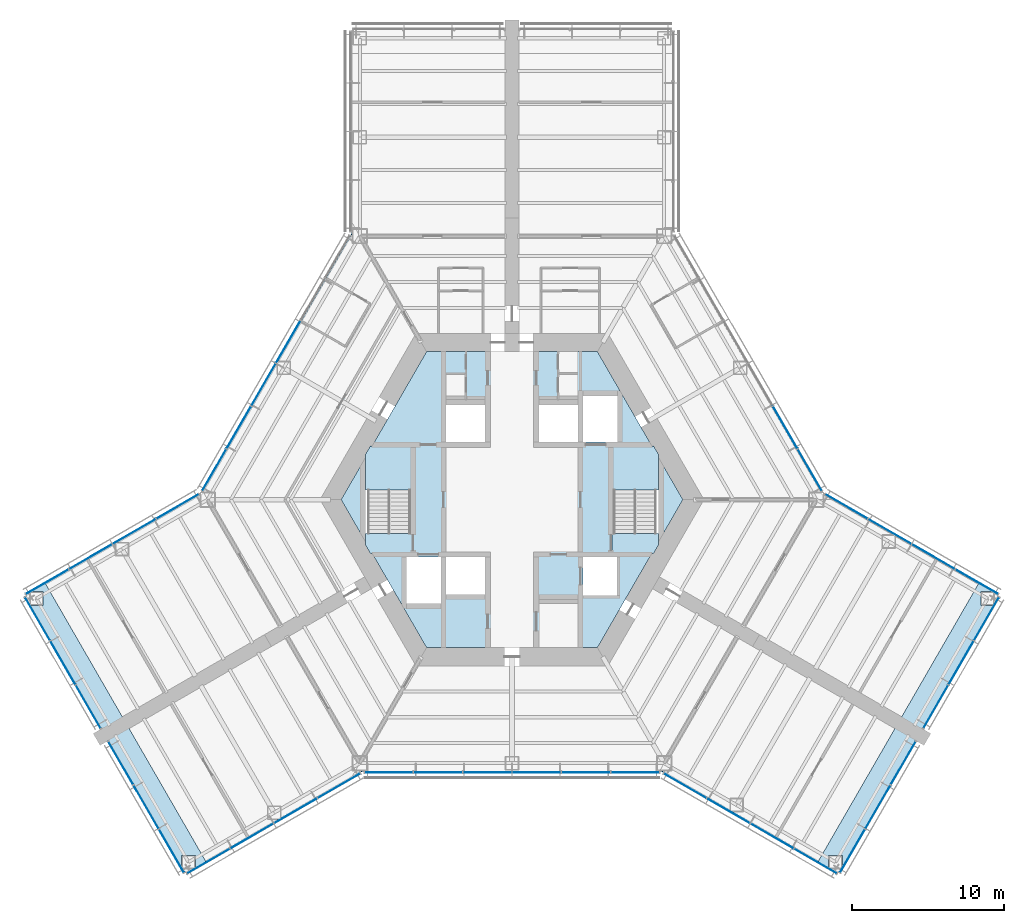
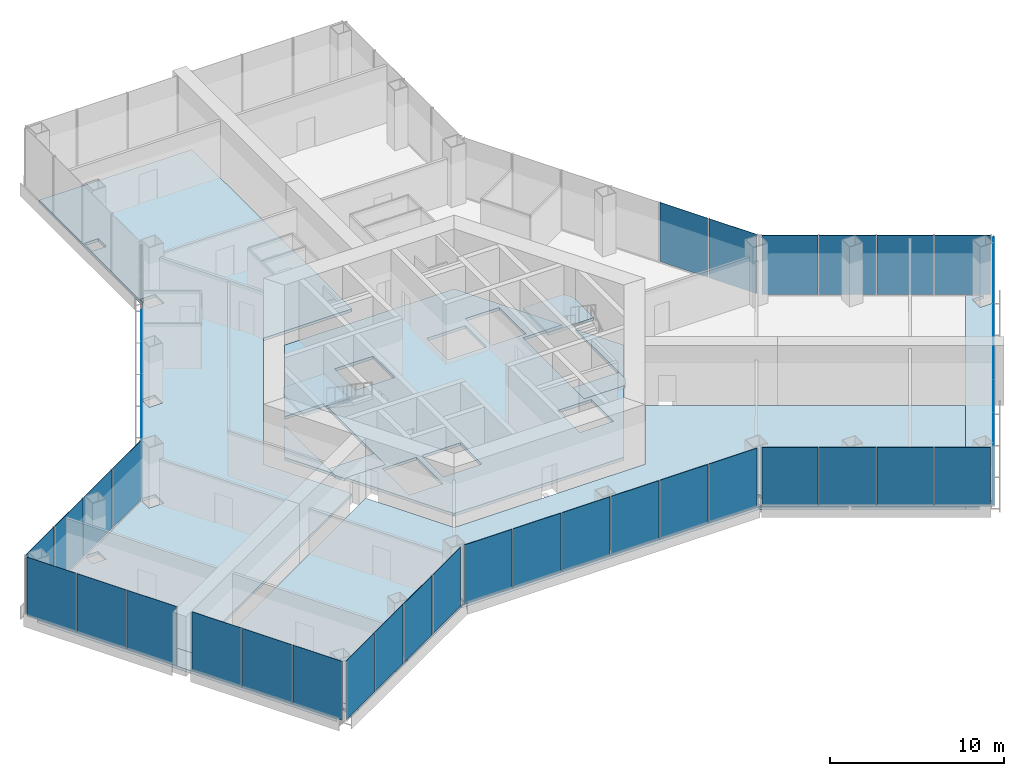
# One storey, part 9 of 16: 40 plates, 11 slabs, 13 elements without a shape of their own.
"""IFC4 building model written with IfcOpenShell, lengths in metres."""

from ifc_helpers import new_model, si_unit, direction, frame, origin, origin_2d, place, context, subcontext, project, spatial, polyline, rectangle, outline, extrude, material, layer, layer_set, type_object, element, aggregate, save


model = new_model("IFC4")

# Units and contexts
model_context = context("Model", 3, precision=1e-05, world=origin(), true_north=direction((0.0, 1.0)))
body_context = subcontext(model_context, "Body", "Model", "MODEL_VIEW")
ifc_project = project(units=[si_unit("LENGTHUNIT", "METRE"), si_unit("AREAUNIT", "SQUARE_METRE"), si_unit("VOLUMEUNIT", "CUBIC_METRE"), si_unit("PLANEANGLEUNIT", "RADIAN"), si_unit("MASSUNIT", "GRAM", prefix="KILO")], contexts=[model_context])

# Site, building, storey
site_placement = place(None, origin())
site = spatial("IfcSite", under=ifc_project, at=site_placement, CompositionType="ELEMENT")
building_placement = place(site_placement, origin())
building = spatial("IfcBuilding", under=site, at=building_placement, Name="Kasaneha Research Tower", CompositionType="ELEMENT")
storey_placement = place(building_placement, frame((0.0, 0.0, 18.39990234375)))
storey = spatial("IfcBuildingStorey", under=building, at=storey_placement, Name="L05", CompositionType="ELEMENT", Elevation=18.39990234375)

# Curtain wall, plates
ifc_material_1 = material(Name="Glass and aluminium", Category="aluminium")
curtain_wall_type = type_object("IfcCurtainWallType", Name="Wet laboratory curtain wall", PredefinedType="USERDEFINED", material=ifc_material_1)
curtain_wall_1_placement = place(storey_placement, origin())
curtain_wall_1 = element("IfcCurtainWall", 1, at=curtain_wall_1_placement, inside=storey, type_object=curtain_wall_type, Name="CW-L1 L05 run 01a", ObjectType="UNITISED CURTAIN WALL", PredefinedType="USERDEFINED")
ifc_material_2 = material(Name="Laminated double glazing", Category="glass")
ifc_layer_1 = layer(ifc_material_2, 0.030029296875)
ifc_layer_set_1 = layer_set([ifc_layer_1], Name="CW-L1 glazed panel")
plate_type = type_object("IfcPlateType", Name="CW-L1 glazed panel", PredefinedType="CURTAIN_PANEL", material=ifc_layer_set_1)
plate_1_placement = place(storey_placement, frame((-19.944091796875, -23.754638671875, 0.06494140625), z_axis=(0.0, 0.0, 1.0), x_axis=(0.866025411464, 0.499999986699, 0.0)))
plate_1 = element("IfcPlate", 2, at=plate_1_placement, type_object=plate_type, Name="CW-L1 panel 1", PredefinedType="CURTAIN_PANEL", context=body_context, shape_type="SweptSolid", body=[
    extrude(rectangle(XDim=3.21240234375, YDim=0.030029296875, at=origin_2d()), origin(), (0.0, 0.0, 1.0), 4.135009765625),
])
plate_2_placement = place(storey_placement, frame((-17.091796875, -22.107666015625, 0.06494140625), z_axis=(0.0, 0.0, 1.0), x_axis=(0.866025411464, 0.499999986699, 0.0)))
plate_2 = element("IfcPlate", 3, at=plate_2_placement, type_object=plate_type, Name="CW-L1 panel 2", PredefinedType="CURTAIN_PANEL", context=body_context, shape_type="SweptSolid", body=[
    extrude(rectangle(XDim=3.244873046875, YDim=0.030029296875, at=origin_2d()), origin(), (0.0, 0.0, 1.0), 4.135009765625),
])
plate_3_placement = place(storey_placement, frame((-14.225341796875, -20.452880859375, 0.06494140625), z_axis=(0.0, 0.0, 1.0), x_axis=(0.866025411464, 0.499999986699, 0.0)))
plate_3 = element("IfcPlate", 4, at=plate_3_placement, type_object=plate_type, Name="CW-L1 panel 3", PredefinedType="CURTAIN_PANEL", context=body_context, shape_type="SweptSolid", body=[
    extrude(rectangle(XDim=3.244873046875, YDim=0.030029296875, at=origin_2d()), origin(), (0.0, 0.0, 1.0), 4.135009765625),
])
plate_4_placement = place(storey_placement, frame((-11.373046875, -18.80615234375, 0.06494140625), z_axis=(0.0, 0.0, 1.0), x_axis=(0.866025411464, 0.499999986699, 0.0)))
plate_4 = element("IfcPlate", 5, at=plate_4_placement, type_object=plate_type, Name="CW-L1 panel 4", PredefinedType="CURTAIN_PANEL", context=body_context, shape_type="SweptSolid", body=[
    extrude(rectangle(XDim=3.21240234375, YDim=0.030029296875, at=origin_2d()), origin(), (0.0, 0.0, 1.0), 4.135009765625),
])
aggregate(curtain_wall_1, [plate_1, plate_2, plate_3, plate_4])

curtain_wall_2_placement = place(storey_placement, origin())
curtain_wall_2 = element("IfcCurtainWall", 6, at=curtain_wall_2_placement, inside=storey, type_object=curtain_wall_type, Name="CW-L1 L05 run 02a", ObjectType="UNITISED CURTAIN WALL", PredefinedType="USERDEFINED")
plate_5_placement = place(storey_placement, frame((-8.099853515625, -17.92041015625, 0.06494140625), z_axis=(0.0, 0.0, 1.0), x_axis=(1.0, 0.0, 0.0)))
plate_5 = element("IfcPlate", 7, at=plate_5_placement, type_object=plate_type, Name="CW-L1 panel 1", PredefinedType="CURTAIN_PANEL", context=body_context, shape_type="SweptSolid", body=[
    extrude(rectangle(XDim=3.14892578125, YDim=0.030029296875, at=origin_2d()), origin(), (0.0, 0.0, 1.0), 4.135009765625),
])
plate_6_placement = place(storey_placement, frame((-4.86962890625, -17.92041015625, 0.06494140625), z_axis=(0.0, 0.0, 1.0), x_axis=(1.0, 0.0, 0.0)))
plate_6 = element("IfcPlate", 8, at=plate_6_placement, type_object=plate_type, Name="CW-L1 panel 2", PredefinedType="CURTAIN_PANEL", context=body_context, shape_type="SweptSolid", body=[
    extrude(rectangle(XDim=3.181396484375, YDim=0.030029296875, at=origin_2d()), origin(), (0.0, 0.0, 1.0), 4.135009765625),
])
plate_7_placement = place(storey_placement, frame((-1.623291015625, -17.92041015625, 0.06494140625), z_axis=(0.0, 0.0, 1.0), x_axis=(1.0, 0.0, 0.0)))
plate_7 = element("IfcPlate", 9, at=plate_7_placement, type_object=plate_type, Name="CW-L1 panel 3", PredefinedType="CURTAIN_PANEL", context=body_context, shape_type="SweptSolid", body=[
    extrude(rectangle(XDim=3.181396484375, YDim=0.030029296875, at=origin_2d()), origin(), (0.0, 0.0, 1.0), 4.135009765625),
])
plate_8_placement = place(storey_placement, frame((1.623291015625, -17.92041015625, 0.06494140625), z_axis=(0.0, 0.0, 1.0), x_axis=(1.0, 0.0, 0.0)))
plate_8 = element("IfcPlate", 10, at=plate_8_placement, type_object=plate_type, Name="CW-L1 panel 4", PredefinedType="CURTAIN_PANEL", context=body_context, shape_type="SweptSolid", body=[
    extrude(rectangle(XDim=3.181396484375, YDim=0.030029296875, at=origin_2d()), origin(), (0.0, 0.0, 1.0), 4.135009765625),
])
plate_9_placement = place(storey_placement, frame((4.86962890625, -17.92041015625, 0.06494140625), z_axis=(0.0, 0.0, 1.0), x_axis=(1.0, 0.0, 0.0)))
plate_9 = element("IfcPlate", 11, at=plate_9_placement, type_object=plate_type, Name="CW-L1 panel 5", PredefinedType="CURTAIN_PANEL", context=body_context, shape_type="SweptSolid", body=[
    extrude(rectangle(XDim=3.181396484375, YDim=0.030029296875, at=origin_2d()), origin(), (0.0, 0.0, 1.0), 4.135009765625),
])
plate_10_placement = place(storey_placement, frame((8.099853515625, -17.92041015625, 0.06494140625), z_axis=(0.0, 0.0, 1.0), x_axis=(1.0, 0.0, 0.0)))
plate_10 = element("IfcPlate", 12, at=plate_10_placement, type_object=plate_type, Name="CW-L1 panel 6", PredefinedType="CURTAIN_PANEL", context=body_context, shape_type="SweptSolid", body=[
    extrude(rectangle(XDim=3.14892578125, YDim=0.030029296875, at=origin_2d()), origin(), (0.0, 0.0, 1.0), 4.135009765625),
])
aggregate(curtain_wall_2, [plate_5, plate_6, plate_7, plate_8, plate_9, plate_10])

curtain_wall_3_placement = place(storey_placement, origin())
curtain_wall_3 = element("IfcCurtainWall", 13, at=curtain_wall_3_placement, inside=storey, type_object=curtain_wall_type, Name="CW-L1 L05 run 03a", ObjectType="UNITISED CURTAIN WALL", PredefinedType="USERDEFINED")
plate_11_placement = place(storey_placement, frame((11.373046875, -18.80615234375, 0.06494140625), z_axis=(0.0, 0.0, 1.0), x_axis=(0.866025411464, -0.499999986699, 0.0)))
plate_11 = element("IfcPlate", 14, at=plate_11_placement, type_object=plate_type, Name="CW-L1 panel 1", PredefinedType="CURTAIN_PANEL", context=body_context, shape_type="SweptSolid", body=[
    extrude(rectangle(XDim=3.21240234375, YDim=0.030029296875, at=origin_2d()), origin(), (0.0, 0.0, 1.0), 4.135009765625),
])
plate_12_placement = place(storey_placement, frame((14.225341796875, -20.452880859375, 0.06494140625), z_axis=(0.0, 0.0, 1.0), x_axis=(0.866025411464, -0.499999986699, 0.0)))
plate_12 = element("IfcPlate", 15, at=plate_12_placement, type_object=plate_type, Name="CW-L1 panel 2", PredefinedType="CURTAIN_PANEL", context=body_context, shape_type="SweptSolid", body=[
    extrude(rectangle(XDim=3.244873046875, YDim=0.030029296875, at=origin_2d()), origin(), (0.0, 0.0, 1.0), 4.135009765625),
])
plate_13_placement = place(storey_placement, frame((17.091796875, -22.107666015625, 0.06494140625), z_axis=(0.0, 0.0, 1.0), x_axis=(0.866025411464, -0.499999986699, 0.0)))
plate_13 = element("IfcPlate", 16, at=plate_13_placement, type_object=plate_type, Name="CW-L1 panel 3", PredefinedType="CURTAIN_PANEL", context=body_context, shape_type="SweptSolid", body=[
    extrude(rectangle(XDim=3.244873046875, YDim=0.030029296875, at=origin_2d()), origin(), (0.0, 0.0, 1.0), 4.135009765625),
])
plate_14_placement = place(storey_placement, frame((19.944091796875, -23.754638671875, 0.06494140625), z_axis=(0.0, 0.0, 1.0), x_axis=(0.866025411464, -0.499999986699, 0.0)))
plate_14 = element("IfcPlate", 17, at=plate_14_placement, type_object=plate_type, Name="CW-L1 panel 4", PredefinedType="CURTAIN_PANEL", context=body_context, shape_type="SweptSolid", body=[
    extrude(rectangle(XDim=3.21240234375, YDim=0.030029296875, at=origin_2d()), origin(), (0.0, 0.0, 1.0), 4.135009765625),
])
aggregate(curtain_wall_3, [plate_11, plate_12, plate_13, plate_14])

curtain_wall_4_placement = place(storey_placement, origin())
curtain_wall_4 = element("IfcCurtainWall", 18, at=curtain_wall_4_placement, inside=storey, type_object=curtain_wall_type, Name="CW-L1 L05 run 04a", ObjectType="UNITISED CURTAIN WALL", PredefinedType="USERDEFINED")
plate_15_placement = place(storey_placement, frame((22.37353515625, -23.0888671875, 0.06494140625), z_axis=(0.0, 0.0, 1.0), x_axis=(0.500000011442, 0.866025397178, 0.0)))
plate_15 = element("IfcPlate", 19, at=plate_15_placement, type_object=plate_type, Name="CW-L1 panel 1", PredefinedType="CURTAIN_PANEL", context=body_context, shape_type="SweptSolid", body=[
    extrude(rectangle(XDim=3.25244140625, YDim=0.030029296875, at=origin_2d()), origin(), (0.0, 0.0, 1.0), 4.135009765625),
])
plate_16_placement = place(storey_placement, frame((24.04052734375, -20.20166015625, 0.06494140625), z_axis=(0.0, 0.0, 1.0), x_axis=(0.500000011442, 0.866025397178, 0.0)))
plate_16 = element("IfcPlate", 20, at=plate_16_placement, type_object=plate_type, Name="CW-L1 panel 2", PredefinedType="CURTAIN_PANEL", context=body_context, shape_type="SweptSolid", body=[
    extrude(rectangle(XDim=3.284912109375, YDim=0.030029296875, at=origin_2d()), origin(), (0.0, 0.0, 1.0), 4.135009765625),
])
plate_17_placement = place(storey_placement, frame((25.707275390625, -17.314697265625, 0.06494140625), z_axis=(0.0, 0.0, 1.0), x_axis=(0.500000011442, 0.866025397178, 0.0)))
plate_17 = element("IfcPlate", 21, at=plate_17_placement, type_object=plate_type, Name="CW-L1 panel 3", PredefinedType="CURTAIN_PANEL", context=body_context, shape_type="SweptSolid", body=[
    extrude(rectangle(XDim=3.25244140625, YDim=0.030029296875, at=origin_2d()), origin(), (0.0, 0.0, 1.0), 4.135009765625),
])
aggregate(curtain_wall_4, [plate_15, plate_16, plate_17])

curtain_wall_5_placement = place(storey_placement, origin())
curtain_wall_5 = element("IfcCurtainWall", 22, at=curtain_wall_5_placement, inside=storey, type_object=curtain_wall_type, Name="CW-L1 L05 run 05a", ObjectType="UNITISED CURTAIN WALL", PredefinedType="USERDEFINED")
plate_18_placement = place(storey_placement, frame((27.8486328125, -13.60595703125, 0.06494140625), z_axis=(0.0, 0.0, 1.0), x_axis=(0.500000011442, 0.866025397178, 0.0)))
plate_18 = element("IfcPlate", 23, at=plate_18_placement, type_object=plate_type, Name="CW-L1 panel 1", PredefinedType="CURTAIN_PANEL", context=body_context, shape_type="SweptSolid", body=[
    extrude(rectangle(XDim=3.25244140625, YDim=0.030029296875, at=origin_2d()), origin(), (0.0, 0.0, 1.0), 4.135009765625),
])
plate_19_placement = place(storey_placement, frame((29.515380859375, -10.71875, 0.06494140625), z_axis=(0.0, 0.0, 1.0), x_axis=(0.500000011442, 0.866025397178, 0.0)))
plate_19 = element("IfcPlate", 24, at=plate_19_placement, type_object=plate_type, Name="CW-L1 panel 2", PredefinedType="CURTAIN_PANEL", context=body_context, shape_type="SweptSolid", body=[
    extrude(rectangle(XDim=3.284912109375, YDim=0.030029296875, at=origin_2d()), origin(), (0.0, 0.0, 1.0), 4.135009765625),
])
plate_20_placement = place(storey_placement, frame((31.182373046875, -7.83154296875, 0.06494140625), z_axis=(0.0, 0.0, 1.0), x_axis=(0.500000011442, 0.866025397178, 0.0)))
plate_20 = element("IfcPlate", 25, at=plate_20_placement, type_object=plate_type, Name="CW-L1 panel 3", PredefinedType="CURTAIN_PANEL", context=body_context, shape_type="SweptSolid", body=[
    extrude(rectangle(XDim=3.25244140625, YDim=0.030029296875, at=origin_2d()), origin(), (0.0, 0.0, 1.0), 4.135009765625),
])
aggregate(curtain_wall_5, [plate_18, plate_19, plate_20])

curtain_wall_6_placement = place(storey_placement, origin())
curtain_wall_6 = element("IfcCurtainWall", 26, at=curtain_wall_6_placement, inside=storey, type_object=curtain_wall_type, Name="CW-L1 L05 run 06a", ObjectType="UNITISED CURTAIN WALL", PredefinedType="USERDEFINED")
plate_21_placement = place(storey_placement, frame((30.544189453125, -5.394775390625, 0.06494140625), z_axis=(0.0, 0.0, 1.0), x_axis=(-0.866025411464, 0.499999986699, 0.0)))
plate_21 = element("IfcPlate", 27, at=plate_21_placement, type_object=plate_type, Name="CW-L1 panel 1", PredefinedType="CURTAIN_PANEL", context=body_context, shape_type="SweptSolid", body=[
    extrude(rectangle(XDim=3.21240234375, YDim=0.030029296875, at=origin_2d()), origin(), (0.0, 0.0, 1.0), 4.135009765625),
])
plate_22_placement = place(storey_placement, frame((27.69189453125, -3.748046875, 0.06494140625), z_axis=(0.0, 0.0, 1.0), x_axis=(-0.866025411464, 0.499999986699, 0.0)))
plate_22 = element("IfcPlate", 28, at=plate_22_placement, type_object=plate_type, Name="CW-L1 panel 2", PredefinedType="CURTAIN_PANEL", context=body_context, shape_type="SweptSolid", body=[
    extrude(rectangle(XDim=3.244873046875, YDim=0.030029296875, at=origin_2d()), origin(), (0.0, 0.0, 1.0), 4.135009765625),
])
plate_23_placement = place(storey_placement, frame((24.825439453125, -2.093017578125, 0.06494140625), z_axis=(0.0, 0.0, 1.0), x_axis=(-0.866025411464, 0.499999986699, 0.0)))
plate_23 = element("IfcPlate", 29, at=plate_23_placement, type_object=plate_type, Name="CW-L1 panel 3", PredefinedType="CURTAIN_PANEL", context=body_context, shape_type="SweptSolid", body=[
    extrude(rectangle(XDim=3.244873046875, YDim=0.030029296875, at=origin_2d()), origin(), (0.0, 0.0, 1.0), 4.135009765625),
])
plate_24_placement = place(storey_placement, frame((21.97314453125, -0.4462890625, 0.06494140625), z_axis=(0.0, 0.0, 1.0), x_axis=(-0.866025411464, 0.499999986699, 0.0)))
plate_24 = element("IfcPlate", 30, at=plate_24_placement, type_object=plate_type, Name="CW-L1 panel 4", PredefinedType="CURTAIN_PANEL", context=body_context, shape_type="SweptSolid", body=[
    extrude(rectangle(XDim=3.21240234375, YDim=0.030029296875, at=origin_2d()), origin(), (0.0, 0.0, 1.0), 4.135009765625),
])
aggregate(curtain_wall_6, [plate_21, plate_22, plate_23, plate_24])

curtain_wall_7_placement = place(storey_placement, origin())
curtain_wall_7 = element("IfcCurtainWall", 31, at=curtain_wall_7_placement, inside=storey, type_object=curtain_wall_type, Name="CW-L1 L05 run 07a", ObjectType="UNITISED CURTAIN WALL", PredefinedType="USERDEFINED")
plate_25_placement = place(storey_placement, frame((19.569580078125, 1.945556640625, 0.06494140625), z_axis=(0.0, 0.0, 1.0), x_axis=(-0.49999996188, 0.866025425793, 0.0)))
plate_25 = element("IfcPlate", 32, at=plate_25_placement, type_object=plate_type, Name="CW-L1 panel 1", PredefinedType="CURTAIN_PANEL", context=body_context, shape_type="SweptSolid", body=[
    extrude(rectangle(XDim=3.14892578125, YDim=0.030029296875, at=origin_2d()), origin(), (0.0, 0.0, 1.0), 4.135009765625),
])
plate_26_placement = place(storey_placement, frame((17.954345703125, 4.7431640625, 0.06494140625), z_axis=(0.0, 0.0, 1.0), x_axis=(-0.49999996188, 0.866025425793, 0.0)))
plate_26 = element("IfcPlate", 33, at=plate_26_placement, type_object=plate_type, Name="CW-L1 panel 2", PredefinedType="CURTAIN_PANEL", context=body_context, shape_type="SweptSolid", body=[
    extrude(rectangle(XDim=3.181396484375, YDim=0.030029296875, at=origin_2d()), origin(), (0.0, 0.0, 1.0), 4.135009765625),
])
aggregate(curtain_wall_7, [plate_25, plate_26])

curtain_wall_8_placement = place(storey_placement, origin())
curtain_wall_8 = element("IfcCurtainWall", 34, at=curtain_wall_8_placement, inside=storey, type_object=curtain_wall_type, Name="CW-L1 L05 run 12a", ObjectType="UNITISED CURTAIN WALL", PredefinedType="USERDEFINED")
plate_27_placement = place(storey_placement, frame((-14.7080078125, 10.365966796875, 0.06494140625), z_axis=(0.0, 0.0, 1.0), x_axis=(-0.49999996188, -0.866025425793, 0.0)))
plate_27 = element("IfcPlate", 35, at=plate_27_placement, type_object=plate_type, Name="CW-L1 panel 3", PredefinedType="CURTAIN_PANEL", context=body_context, shape_type="SweptSolid", body=[
    extrude(rectangle(XDim=3.181396484375, YDim=0.030029296875, at=origin_2d()), origin(), (0.0, 0.0, 1.0), 4.135009765625),
])
plate_28_placement = place(storey_placement, frame((-16.331298828125, 7.554443359375, 0.06494140625), z_axis=(0.0, 0.0, 1.0), x_axis=(-0.49999996188, -0.866025425793, 0.0)))
plate_28 = element("IfcPlate", 36, at=plate_28_placement, type_object=plate_type, Name="CW-L1 panel 4", PredefinedType="CURTAIN_PANEL", context=body_context, shape_type="SweptSolid", body=[
    extrude(rectangle(XDim=3.181396484375, YDim=0.030029296875, at=origin_2d()), origin(), (0.0, 0.0, 1.0), 4.135009765625),
])
plate_29_placement = place(storey_placement, frame((-17.954345703125, 4.7431640625, 0.06494140625), z_axis=(0.0, 0.0, 1.0), x_axis=(-0.49999996188, -0.866025425793, 0.0)))
plate_29 = element("IfcPlate", 37, at=plate_29_placement, type_object=plate_type, Name="CW-L1 panel 5", PredefinedType="CURTAIN_PANEL", context=body_context, shape_type="SweptSolid", body=[
    extrude(rectangle(XDim=3.181396484375, YDim=0.030029296875, at=origin_2d()), origin(), (0.0, 0.0, 1.0), 4.135009765625),
])
plate_30_placement = place(storey_placement, frame((-19.569580078125, 1.945556640625, 0.06494140625), z_axis=(0.0, 0.0, 1.0), x_axis=(-0.49999996188, -0.866025425793, 0.0)))
plate_30 = element("IfcPlate", 38, at=plate_30_placement, type_object=plate_type, Name="CW-L1 panel 6", PredefinedType="CURTAIN_PANEL", context=body_context, shape_type="SweptSolid", body=[
    extrude(rectangle(XDim=3.14892578125, YDim=0.030029296875, at=origin_2d()), origin(), (0.0, 0.0, 1.0), 4.135009765625),
])
aggregate(curtain_wall_8, [plate_27, plate_28, plate_29, plate_30])

curtain_wall_9_placement = place(storey_placement, origin())
curtain_wall_9 = element("IfcCurtainWall", 39, at=curtain_wall_9_placement, inside=storey, type_object=curtain_wall_type, Name="CW-L1 L05 run 13a", ObjectType="UNITISED CURTAIN WALL", PredefinedType="USERDEFINED")
plate_31_placement = place(storey_placement, frame((-21.97314453125, -0.4462890625, 0.06494140625), z_axis=(0.0, 0.0, 1.0), x_axis=(-0.866025411464, -0.499999986699, 0.0)))
plate_31 = element("IfcPlate", 40, at=plate_31_placement, type_object=plate_type, Name="CW-L1 panel 1", PredefinedType="CURTAIN_PANEL", context=body_context, shape_type="SweptSolid", body=[
    extrude(rectangle(XDim=3.21240234375, YDim=0.030029296875, at=origin_2d()), origin(), (0.0, 0.0, 1.0), 4.135009765625),
])
plate_32_placement = place(storey_placement, frame((-24.825439453125, -2.093017578125, 0.06494140625), z_axis=(0.0, 0.0, 1.0), x_axis=(-0.866025411464, -0.499999986699, 0.0)))
plate_32 = element("IfcPlate", 41, at=plate_32_placement, type_object=plate_type, Name="CW-L1 panel 2", PredefinedType="CURTAIN_PANEL", context=body_context, shape_type="SweptSolid", body=[
    extrude(rectangle(XDim=3.244873046875, YDim=0.030029296875, at=origin_2d()), origin(), (0.0, 0.0, 1.0), 4.135009765625),
])
plate_33_placement = place(storey_placement, frame((-27.69189453125, -3.748046875, 0.06494140625), z_axis=(0.0, 0.0, 1.0), x_axis=(-0.866025411464, -0.499999986699, 0.0)))
plate_33 = element("IfcPlate", 42, at=plate_33_placement, type_object=plate_type, Name="CW-L1 panel 3", PredefinedType="CURTAIN_PANEL", context=body_context, shape_type="SweptSolid", body=[
    extrude(rectangle(XDim=3.244873046875, YDim=0.030029296875, at=origin_2d()), origin(), (0.0, 0.0, 1.0), 4.135009765625),
])
plate_34_placement = place(storey_placement, frame((-30.544189453125, -5.394775390625, 0.06494140625), z_axis=(0.0, 0.0, 1.0), x_axis=(-0.866025411464, -0.499999986699, 0.0)))
plate_34 = element("IfcPlate", 43, at=plate_34_placement, type_object=plate_type, Name="CW-L1 panel 4", PredefinedType="CURTAIN_PANEL", context=body_context, shape_type="SweptSolid", body=[
    extrude(rectangle(XDim=3.21240234375, YDim=0.030029296875, at=origin_2d()), origin(), (0.0, 0.0, 1.0), 4.135009765625),
])
aggregate(curtain_wall_9, [plate_31, plate_32, plate_33, plate_34])

curtain_wall_10_placement = place(storey_placement, origin())
curtain_wall_10 = element("IfcCurtainWall", 44, at=curtain_wall_10_placement, inside=storey, type_object=curtain_wall_type, Name="CW-L1 L05 run 14a", ObjectType="UNITISED CURTAIN WALL", PredefinedType="USERDEFINED")
plate_35_placement = place(storey_placement, frame((-31.182373046875, -7.83154296875, 0.06494140625), z_axis=(0.0, 0.0, 1.0), x_axis=(0.500000011442, -0.866025397178, 0.0)))
plate_35 = element("IfcPlate", 45, at=plate_35_placement, type_object=plate_type, Name="CW-L1 panel 1", PredefinedType="CURTAIN_PANEL", context=body_context, shape_type="SweptSolid", body=[
    extrude(rectangle(XDim=3.25244140625, YDim=0.030029296875, at=origin_2d()), origin(), (0.0, 0.0, 1.0), 4.135009765625),
])
plate_36_placement = place(storey_placement, frame((-29.515380859375, -10.71875, 0.06494140625), z_axis=(0.0, 0.0, 1.0), x_axis=(0.500000011442, -0.866025397178, 0.0)))
plate_36 = element("IfcPlate", 46, at=plate_36_placement, type_object=plate_type, Name="CW-L1 panel 2", PredefinedType="CURTAIN_PANEL", context=body_context, shape_type="SweptSolid", body=[
    extrude(rectangle(XDim=3.284912109375, YDim=0.030029296875, at=origin_2d()), origin(), (0.0, 0.0, 1.0), 4.135009765625),
])
plate_37_placement = place(storey_placement, frame((-27.8486328125, -13.60595703125, 0.06494140625), z_axis=(0.0, 0.0, 1.0), x_axis=(0.500000011442, -0.866025397178, 0.0)))
plate_37 = element("IfcPlate", 47, at=plate_37_placement, type_object=plate_type, Name="CW-L1 panel 3", PredefinedType="CURTAIN_PANEL", context=body_context, shape_type="SweptSolid", body=[
    extrude(rectangle(XDim=3.25244140625, YDim=0.030029296875, at=origin_2d()), origin(), (0.0, 0.0, 1.0), 4.135009765625),
])
aggregate(curtain_wall_10, [plate_35, plate_36, plate_37])

curtain_wall_11_placement = place(storey_placement, origin())
curtain_wall_11 = element("IfcCurtainWall", 48, at=curtain_wall_11_placement, inside=storey, type_object=curtain_wall_type, Name="CW-L1 L05 run 15a", ObjectType="UNITISED CURTAIN WALL", PredefinedType="USERDEFINED")
plate_38_placement = place(storey_placement, frame((-25.707275390625, -17.314697265625, 0.06494140625), z_axis=(0.0, 0.0, 1.0), x_axis=(0.500000011442, -0.866025397178, 0.0)))
plate_38 = element("IfcPlate", 49, at=plate_38_placement, type_object=plate_type, Name="CW-L1 panel 1", PredefinedType="CURTAIN_PANEL", context=body_context, shape_type="SweptSolid", body=[
    extrude(rectangle(XDim=3.25244140625, YDim=0.030029296875, at=origin_2d()), origin(), (0.0, 0.0, 1.0), 4.135009765625),
])
plate_39_placement = place(storey_placement, frame((-24.04052734375, -20.20166015625, 0.06494140625), z_axis=(0.0, 0.0, 1.0), x_axis=(0.500000011442, -0.866025397178, 0.0)))
plate_39 = element("IfcPlate", 50, at=plate_39_placement, type_object=plate_type, Name="CW-L1 panel 2", PredefinedType="CURTAIN_PANEL", context=body_context, shape_type="SweptSolid", body=[
    extrude(rectangle(XDim=3.284912109375, YDim=0.030029296875, at=origin_2d()), origin(), (0.0, 0.0, 1.0), 4.135009765625),
])
plate_40_placement = place(storey_placement, frame((-22.37353515625, -23.0888671875, 0.06494140625), z_axis=(0.0, 0.0, 1.0), x_axis=(0.500000011442, -0.866025397178, 0.0)))
plate_40 = element("IfcPlate", 51, at=plate_40_placement, type_object=plate_type, Name="CW-L1 panel 3", PredefinedType="CURTAIN_PANEL", context=body_context, shape_type="SweptSolid", body=[
    extrude(rectangle(XDim=3.25244140625, YDim=0.030029296875, at=origin_2d()), origin(), (0.0, 0.0, 1.0), 4.135009765625),
])
aggregate(curtain_wall_11, [plate_38, plate_39, plate_40])

# Slabs
ifc_material_3 = material(Name="Concrete Fc24", Category="concrete")
ifc_layer_2 = layer(ifc_material_3, 0.199951171875)
ifc_layer_set_2 = layer_set([ifc_layer_2], Name="Core floor slab 200")
slab_type_1 = type_object("IfcSlabType", Name="Core floor slab 200", PredefinedType="FLOOR", material=ifc_layer_set_2)
slab_1_placement = place(storey_placement, frame((0.0, 0.0, -0.199951171875)))
element("IfcSlab", 52, at=slab_1_placement, inside=storey, type_object=slab_type_1, Name="Core slab L05", PredefinedType="FLOOR", context=body_context, shape_type="SweptSolid", body=[
    extrude(outline(polyline([(-11.2294921875, 0.0), (-9.625, 2.779052734375), (-9.625, -2.779052734375), (-11.2294921875, 0.0)])), origin(), (0.0, 0.0, 1.0), 0.199951171875),
])
slab_2_placement = place(storey_placement, frame((0.0, 0.0, -0.199951171875)))
element("IfcSlab", 53, at=slab_2_placement, inside=storey, type_object=slab_type_1, Name="Core slab L05", PredefinedType="FLOOR", context=body_context, shape_type="SweptSolid", body=[
    extrude(outline(polyline([(-5.61474609375, 9.72509765625), (5.61474609375, 9.72509765625), (9.1943359375, 3.52490234375), (6.574951171875, 3.52490234375), (6.574951171875, -3.52490234375), (9.1943359375, -3.52490234375), (5.61474609375, -9.72509765625), (-5.61474609375, -9.72509765625), (-9.1943359375, -3.52490234375), (-6.574951171875, -3.52490234375), (-6.574951171875, 3.52490234375), (-9.1943359375, 3.52490234375), (-5.61474609375, 9.72509765625)]), holes=[polyline([(-6.925048828125, -3.77490234375), (-6.925048828125, -6.824951171875), (-4.675048828125, -6.824951171875), (-4.675048828125, -3.77490234375), (-6.925048828125, -3.77490234375)]), polyline([(4.675048828125, -3.77490234375), (4.675048828125, -6.300048828125), (6.89990234375, -6.300048828125), (6.89990234375, -3.77490234375), (4.675048828125, -3.77490234375)]), polyline([(-4.324951171875, -3.77490234375), (-4.324951171875, -6.22509765625), (-1.77490234375, -6.22509765625), (-1.77490234375, -3.77490234375), (-4.324951171875, -3.77490234375)]), polyline([(-4.324951171875, 6.22509765625), (-4.324951171875, 3.77490234375), (-1.77490234375, 3.77490234375), (-1.77490234375, 6.22509765625), (-4.324951171875, 6.22509765625)]), polyline([(1.77490234375, 6.22509765625), (1.77490234375, 3.77490234375), (4.324951171875, 3.77490234375), (4.324951171875, 6.22509765625), (1.77490234375, 6.22509765625)]), polyline([(4.675048828125, 6.824951171875), (4.675048828125, 3.77490234375), (6.925048828125, 3.77490234375), (6.925048828125, 6.824951171875), (4.675048828125, 6.824951171875)])]), origin(), (0.0, 0.0, 1.0), 0.199951171875),
])
slab_3_placement = place(storey_placement, frame((0.0, 0.0, -0.199951171875)))
element("IfcSlab", 54, at=slab_3_placement, inside=storey, type_object=slab_type_1, Name="Core slab L05", PredefinedType="FLOOR", context=body_context, shape_type="SweptSolid", body=[
    extrude(outline(polyline([(11.2294921875, 0.0), (9.625, -2.779052734375), (9.625, 2.779052734375), (11.2294921875, 0.0)])), origin(), (0.0, 0.0, 1.0), 0.199951171875),
])
ifc_material_4 = material(Name="Concrete Fc24", Category="concrete")
ifc_layer_3 = layer(ifc_material_4, 0.199951171875)
ifc_layer_set_3 = layer_set([ifc_layer_3], Name="Floor slab 200")
slab_type_2 = type_object("IfcSlabType", Name="Floor slab 200", PredefinedType="FLOOR", material=ifc_layer_set_3)
slab_4_placement = place(storey_placement, frame((0.0, 0.0, -0.199951171875)))
element("IfcSlab", 55, at=slab_4_placement, inside=storey, type_object=slab_type_2, Name="Floor slab L05 1", PredefinedType="FLOOR", context=body_context, shape_type="SweptSolid", body=[
    extrude(outline(polyline([(-25.167236328125, -15.050048828125), (-25.15869140625, -15.044921875), (-20.108642578125, -23.791748046875), (-20.808349609375, -24.19580078125), (-20.808349609375, -23.37060546875), (-21.708251953125, -23.37060546875), (-21.708251953125, -24.14111328125), (-31.633544921875, -6.949951171875), (-30.808349609375, -6.949951171875), (-30.808349609375, -6.050048828125), (-31.578857421875, -6.050048828125), (-30.65869140625, -5.518798828125), (-25.608642578125, -14.265625), (-25.6171875, -14.2705078125), (-25.167236328125, -15.050048828125)])), origin(), (0.0, 0.0, 1.0), 0.199951171875),
])
slab_5_placement = place(storey_placement, frame((0.0, 0.0, -0.199951171875)))
element("IfcSlab", 56, at=slab_5_placement, inside=storey, type_object=slab_type_2, Name="Floor slab L05 2", PredefinedType="FLOOR", context=body_context, shape_type="SweptSolid", body=[
    extrude(outline(polyline([(-25.17919921875, -2.800048828125), (-25.94970703125, -2.800048828125), (-20.5, 0.346435546875), (-20.5, -0.5), (-19.5, -0.5), (-19.5, 0.5), (-20.346435546875, 0.5), (-15.449951171875, 8.980712890625), (-15.449951171875, 8.210205078125), (-14.550048828125, 8.210205078125), (-14.550048828125, 9.1103515625), (-15.375244140625, 9.1103515625), (-10.550048828125, 17.4677734375), (-10.550048828125, 29.310546875), (-0.449951171875, 29.310546875), (-0.449951171875, 10.925048828125), (-6.3076171875, 10.925048828125), (-12.614990234375, 0.0), (-9.686279296875, -5.07275390625), (-25.608642578125, -14.265625), (-30.65869140625, -5.518798828125), (-26.0791015625, -2.874755859375), (-26.0791015625, -3.699951171875), (-25.17919921875, -3.699951171875), (-25.17919921875, -2.800048828125)]), holes=[polyline([(-9.5, 16.820556640625), (-9.5, 17.820556640625), (-10.5, 17.820556640625), (-10.5, 16.820556640625), (-9.5, 16.820556640625)]), polyline([(-10.449951171875, 23.37060546875), (-9.550048828125, 23.37060546875), (-9.550048828125, 24.2705078125), (-10.449951171875, 24.2705078125), (-10.449951171875, 23.37060546875)])]), origin(), (0.0, 0.0, 1.0), 0.199951171875),
])
slab_6_placement = place(storey_placement, frame((0.0, 0.0, -0.199951171875)))
element("IfcSlab", 57, at=slab_6_placement, inside=storey, type_object=slab_type_2, Name="Floor slab L05 4", PredefinedType="FLOOR", context=body_context, shape_type="SweptSolid", body=[
    extrude(outline(polyline([(-6.3076171875, -10.925048828125), (6.3076171875, -10.925048828125), (9.236328125, -5.852294921875), (25.15869140625, -15.044921875), (20.108642578125, -23.791748046875), (14.442626953125, -20.5205078125), (15.213134765625, -20.5205078125), (15.213134765625, -19.62060546875), (14.313232421875, -19.62060546875), (14.313232421875, -20.44580078125), (9.8525390625, -17.87060546875), (-9.8525390625, -17.87060546875), (-15.17919921875, -20.94580078125), (-15.17919921875, -20.12060546875), (-16.0791015625, -20.12060546875), (-16.0791015625, -21.0205078125), (-15.30859375, -21.0205078125), (-20.108642578125, -23.791748046875), (-25.15869140625, -15.044921875), (-9.236328125, -5.852294921875), (-6.3076171875, -10.925048828125)]), holes=[polyline([(-0.449951171875, -17.7705078125), (0.449951171875, -17.7705078125), (0.449951171875, -16.87060546875), (-0.449951171875, -16.87060546875), (-0.449951171875, -17.7705078125)]), polyline([(-9.5, -17.820556640625), (-9.5, -16.820556640625), (-10.5, -16.820556640625), (-10.5, -17.820556640625), (-9.5, -17.820556640625)]), polyline([(10.5, -17.820556640625), (10.5, -16.820556640625), (9.5, -16.820556640625), (9.5, -17.820556640625), (10.5, -17.820556640625)])]), origin(), (0.0, 0.0, 1.0), 0.199951171875),
])
slab_7_placement = place(storey_placement, frame((0.0, 0.0, -0.199951171875)))
element("IfcSlab", 58, at=slab_7_placement, inside=storey, type_object=slab_type_2, Name="Floor slab L05 6", PredefinedType="FLOOR", context=body_context, shape_type="SweptSolid", body=[
    extrude(outline(polyline([(25.167236328125, -15.050048828125), (25.6171875, -14.2705078125), (25.608642578125, -14.265625), (30.65869140625, -5.518798828125), (31.578857421875, -6.050048828125), (30.808349609375, -6.050048828125), (30.808349609375, -6.949951171875), (31.633544921875, -6.949951171875), (21.708251953125, -24.14111328125), (21.708251953125, -23.37060546875), (20.808349609375, -23.37060546875), (20.808349609375, -24.19580078125), (20.108642578125, -23.791748046875), (25.15869140625, -15.044921875), (25.167236328125, -15.050048828125)])), origin(), (0.0, 0.0, 1.0), 0.199951171875),
])

# Stair, slabs
ifc_material_5 = material(Name="Concrete Fc24", Category="concrete")
stair_type = type_object("IfcStairType", Name="Half-turn stair 24 risers", PredefinedType="HALF_TURN_STAIR", material=ifc_material_5)
stair_1_placement = place(storey_placement, origin())
stair_1 = element("IfcStair", 59, at=stair_1_placement, inside=storey, type_object=stair_type, Name="Stair 1 L05", PredefinedType="HALF_TURN_STAIR")
ifc_material_6 = material(Name="Concrete Fc24", Category="concrete")
ifc_layer_4 = layer(ifc_material_6, 0.199951171875)
ifc_layer_set_4 = layer_set([ifc_layer_4], Name="Stair 1 landing 200")
slab_type_3 = type_object("IfcSlabType", Name="Stair 1 landing 200", PredefinedType="LANDING", material=ifc_layer_set_4)
slab_8_placement = place(storey_placement, frame((0.0, 0.0, -0.199951171875)))
slab_8 = element("IfcSlab", 60, at=slab_8_placement, type_object=slab_type_3, Name="ST1-24R landing 1", PredefinedType="LANDING", context=body_context, shape_type="SweptSolid", body=[
    extrude(outline(polyline([(9.309814453125, -3.52490234375), (6.574951171875, -3.52490234375), (6.574951171875, -2.22509765625), (9.625, -2.22509765625), (9.625, -2.97900390625), (9.309814453125, -3.52490234375)])), origin(), (0.0, 0.0, 1.0), 0.199951171875),
])
slab_9_placement = place(storey_placement, frame((0.0, 0.0, 1.900146484375)))
slab_9 = element("IfcSlab", 61, at=slab_9_placement, type_object=slab_type_3, Name="ST1-24R landing 2", PredefinedType="LANDING", context=body_context, shape_type="SweptSolid", body=[
    extrude(outline(polyline([(6.574951171875, 3.52490234375), (9.309814453125, 3.52490234375), (9.625, 2.97900390625), (9.625, 0.635009765625), (6.574951171875, 0.635009765625), (6.574951171875, 3.52490234375)])), origin(), (0.0, 0.0, 1.0), 0.199951171875),
])
aggregate(stair_1, [slab_8, slab_9])

stair_2_placement = place(storey_placement, origin())
stair_2 = element("IfcStair", 62, at=stair_2_placement, inside=storey, type_object=stair_type, Name="Stair 2 L05", PredefinedType="HALF_TURN_STAIR")
ifc_material_7 = material(Name="Concrete Fc24", Category="concrete")
ifc_layer_5 = layer(ifc_material_7, 0.199951171875)
ifc_layer_set_5 = layer_set([ifc_layer_5], Name="Stair 2 landing 200")
slab_type_4 = type_object("IfcSlabType", Name="Stair 2 landing 200", PredefinedType="LANDING", material=ifc_layer_set_5)
slab_10_placement = place(storey_placement, frame((0.0, 0.0, -0.199951171875)))
slab_10 = element("IfcSlab", 63, at=slab_10_placement, type_object=slab_type_4, Name="ST2-24R landing 1", PredefinedType="LANDING", context=body_context, shape_type="SweptSolid", body=[
    extrude(outline(polyline([(-6.574951171875, -3.52490234375), (-9.309814453125, -3.52490234375), (-9.625, -2.97900390625), (-9.625, -2.22509765625), (-6.574951171875, -2.22509765625), (-6.574951171875, -3.52490234375)])), origin(), (0.0, 0.0, 1.0), 0.199951171875),
])
slab_11_placement = place(storey_placement, frame((0.0, 0.0, 1.900146484375)))
slab_11 = element("IfcSlab", 64, at=slab_11_placement, type_object=slab_type_4, Name="ST2-24R landing 2", PredefinedType="LANDING", context=body_context, shape_type="SweptSolid", body=[
    extrude(outline(polyline([(-6.574951171875, 0.635009765625), (-9.625, 0.635009765625), (-9.625, 2.97900390625), (-9.309814453125, 3.52490234375), (-6.574951171875, 3.52490234375), (-6.574951171875, 0.635009765625)])), origin(), (0.0, 0.0, 1.0), 0.199951171875),
])
aggregate(stair_2, [slab_10, slab_11])

save(model, "model.ifc")
